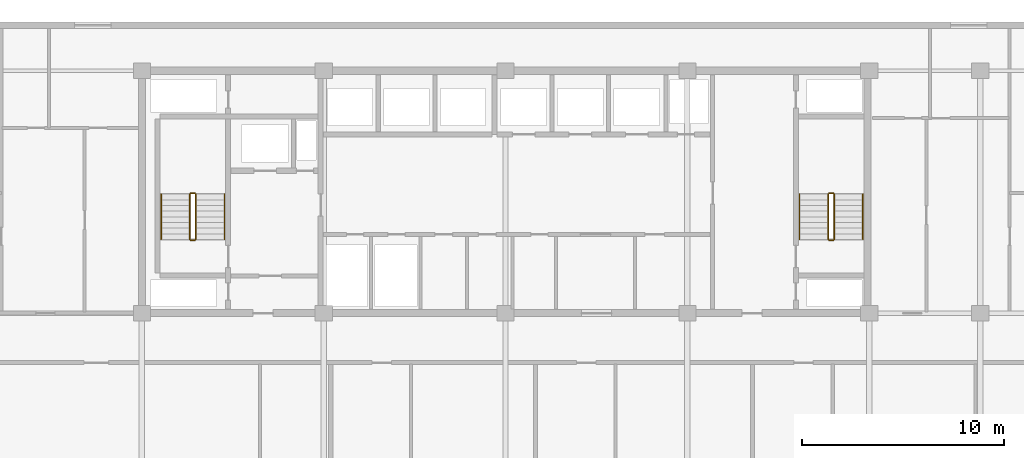
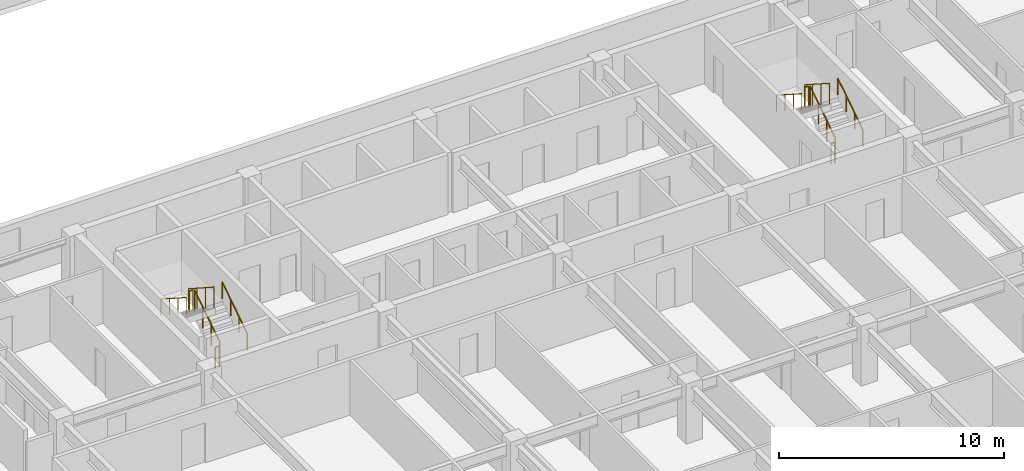
# One storey, part 18 of 21: 12 railings.
"""IFC4 building model written with IfcOpenShell, lengths in metres."""

from ifc_helpers import new_model, si_unit, direction, frame, origin, origin_2d, place, context, subcontext, project, spatial, circle, extrude, material, type_object, element, save


model = new_model("IFC4")

# Units and contexts
model_context = context("Model", 3, precision=1e-05, world=origin(), true_north=direction((0.0, 1.0)))
body_context = subcontext(model_context, "Body", "Model", "MODEL_VIEW")
ifc_project = project(units=[si_unit("LENGTHUNIT", "METRE"), si_unit("AREAUNIT", "SQUARE_METRE"), si_unit("VOLUMEUNIT", "CUBIC_METRE"), si_unit("PLANEANGLEUNIT", "RADIAN"), si_unit("MASSUNIT", "GRAM", prefix="KILO")], contexts=[model_context])

# Site, building, storey
site_placement = place(None, origin())
site = spatial("IfcSite", under=ifc_project, at=site_placement, CompositionType="ELEMENT")
building_placement = place(site_placement, origin())
building = spatial("IfcBuilding", under=site, at=building_placement, Name="Korimba Cascade Residences", CompositionType="ELEMENT")
storey_placement = place(building_placement, frame((0.0, 0.0, 97.050048828125)))
storey = spatial("IfcBuildingStorey", under=building, at=storey_placement, Name="L27", CompositionType="ELEMENT", Elevation=97.050048828125)

# Railings
ifc_material_1 = material(Name="Painted Steel Stairwell Guardrail", Category="steel")
railing_type_1 = type_object("IfcRailingType", Name="RLG-ST-GD1150", PredefinedType="GUARDRAIL", material=ifc_material_1)
railing_1_placement = place(storey_placement, frame((84.77001953125, 22.050048828125, 0.180419921875)))
element("IfcRailing", 1, at=railing_1_placement, inside=storey, type_object=railing_type_1, Name="L27 ST-E1 stair guard 1", PredefinedType="GUARDRAIL", context=body_context, shape_type="SweptSolid", body=[
    extrude(circle(Radius=0.02392578125, at=origin_2d()), frame((0.0, 0.0, 1.1259765625), z_axis=(0.0, 0.840394893359, 0.541974559565), x_axis=(-1.0, 0.0, 0.0)), (0.0, 0.0, 1.0), 2.665283203125),
    extrude(circle(Radius=0.02099609375, at=origin_2d()), origin(), (0.0, 0.0, 1.0), 1.101806640625),
    extrude(circle(Radius=0.02099609375, at=origin_2d()), frame((0.0, 0.74658203125, 0.4814453125)), (0.0, 0.0, 1.0), 1.101806640625),
    extrude(circle(Radius=0.02099609375, at=origin_2d()), frame((0.0, 1.493408203125, 0.963134765625)), (0.0, 0.0, 1.0), 1.101806640625),
    extrude(circle(Radius=0.02099609375, at=origin_2d()), frame((0.0, 2.239990234375, 1.444580078125)), (0.0, 0.0, 1.0), 1.101806640625),
])
railing_2_placement = place(storey_placement, frame((84.719970703125, 24.340087890625, 1.625)))
element("IfcRailing", 2, at=railing_2_placement, inside=storey, type_object=railing_type_1, Name="L27 ST-E1 stair guard 2", PredefinedType="GUARDRAIL", context=body_context, shape_type="SweptSolid", body=[
    extrude(circle(Radius=0.02392578125, at=origin_2d()), frame((0.0, 0.0, 1.1259765625), z_axis=(-1.0, 0.0, 0.0), x_axis=(0.0, -1.0, 0.0)), (0.0, 0.0, 1.0), 0.199951171875),
    extrude(circle(Radius=0.02099609375, at=origin_2d()), origin(), (0.0, 0.0, 1.0), 1.101806640625),
    extrude(circle(Radius=0.02099609375, at=origin_2d()), frame((-0.199951171875, 0.0, 0.0)), (0.0, 0.0, 1.0), 1.101806640625),
])
railing_3_placement = place(storey_placement, frame((84.469970703125, 24.2900390625, 1.805419921875)))
element("IfcRailing", 3, at=railing_3_placement, inside=storey, type_object=railing_type_1, Name="L27 ST-E1 stair guard 3", PredefinedType="GUARDRAIL", context=body_context, shape_type="SweptSolid", body=[
    extrude(circle(Radius=0.02392578125, at=origin_2d()), frame((0.0, 0.0, 1.1259765625), z_axis=(0.0, -0.840394893359, 0.541974559565), x_axis=(1.0, 0.0, 0.0)), (0.0, 0.0, 1.0), 2.665283203125),
    extrude(circle(Radius=0.02099609375, at=origin_2d()), origin(), (0.0, 0.0, 1.0), 1.101806640625),
    extrude(circle(Radius=0.02099609375, at=origin_2d()), frame((0.0, -0.74658203125, 0.4814453125)), (0.0, 0.0, 1.0), 1.101806640625),
    extrude(circle(Radius=0.02099609375, at=origin_2d()), frame((0.0, -1.493408203125, 0.963134765625)), (0.0, 0.0, 1.0), 1.101806640625),
    extrude(circle(Radius=0.02099609375, at=origin_2d()), frame((0.0, -2.239990234375, 1.444580078125)), (0.0, 0.0, 1.0), 1.101806640625),
])
railing_4_placement = place(storey_placement, frame((84.719970703125, 22.0, 0.0)))
element("IfcRailing", 4, at=railing_4_placement, inside=storey, type_object=railing_type_1, Name="L27 ST-E1 stair guard 4", PredefinedType="GUARDRAIL", context=body_context, shape_type="SweptSolid", body=[
    extrude(circle(Radius=0.02392578125, at=origin_2d()), frame((0.0, 0.0, 1.1259765625), z_axis=(-1.0, 0.0, 0.0), x_axis=(0.0, -1.0, 0.0)), (0.0, 0.0, 1.0), 0.199951171875),
    extrude(circle(Radius=0.02099609375, at=origin_2d()), origin(), (0.0, 0.0, 1.0), 1.101806640625),
    extrude(circle(Radius=0.02099609375, at=origin_2d()), frame((-0.199951171875, 0.0, 0.0)), (0.0, 0.0, 1.0), 1.101806640625),
])
railing_5_placement = place(storey_placement, frame((116.3701171875, 22.050048828125, 0.180419921875)))
element("IfcRailing", 5, at=railing_5_placement, inside=storey, type_object=railing_type_1, Name="L27 ST-E2 stair guard 1", PredefinedType="GUARDRAIL", context=body_context, shape_type="SweptSolid", body=[
    extrude(circle(Radius=0.02392578125, at=origin_2d()), frame((0.0, 0.0, 1.1259765625), z_axis=(0.0, 0.840394893359, 0.541974559565), x_axis=(-1.0, 0.0, 0.0)), (0.0, 0.0, 1.0), 2.665283203125),
    extrude(circle(Radius=0.02099609375, at=origin_2d()), origin(), (0.0, 0.0, 1.0), 1.101806640625),
    extrude(circle(Radius=0.02099609375, at=origin_2d()), frame((0.0, 0.74658203125, 0.4814453125)), (0.0, 0.0, 1.0), 1.101806640625),
    extrude(circle(Radius=0.02099609375, at=origin_2d()), frame((0.0, 1.493408203125, 0.963134765625)), (0.0, 0.0, 1.0), 1.101806640625),
    extrude(circle(Radius=0.02099609375, at=origin_2d()), frame((0.0, 2.239990234375, 1.444580078125)), (0.0, 0.0, 1.0), 1.101806640625),
])
railing_6_placement = place(storey_placement, frame((116.320068359375, 24.340087890625, 1.625)))
element("IfcRailing", 6, at=railing_6_placement, inside=storey, type_object=railing_type_1, Name="L27 ST-E2 stair guard 2", PredefinedType="GUARDRAIL", context=body_context, shape_type="SweptSolid", body=[
    extrude(circle(Radius=0.02392578125, at=origin_2d()), frame((0.0, 0.0, 1.1259765625), z_axis=(-1.0, 0.0, 0.0), x_axis=(0.0, -1.0, 0.0)), (0.0, 0.0, 1.0), 0.199951171875),
    extrude(circle(Radius=0.02099609375, at=origin_2d()), origin(), (0.0, 0.0, 1.0), 1.101806640625),
    extrude(circle(Radius=0.02099609375, at=origin_2d()), frame((-0.199951171875, 0.0, 0.0)), (0.0, 0.0, 1.0), 1.101806640625),
])
railing_7_placement = place(storey_placement, frame((116.070068359375, 24.2900390625, 1.805419921875)))
element("IfcRailing", 7, at=railing_7_placement, inside=storey, type_object=railing_type_1, Name="L27 ST-E2 stair guard 3", PredefinedType="GUARDRAIL", context=body_context, shape_type="SweptSolid", body=[
    extrude(circle(Radius=0.02392578125, at=origin_2d()), frame((0.0, 0.0, 1.1259765625), z_axis=(0.0, -0.840394893359, 0.541974559565), x_axis=(1.0, 0.0, 0.0)), (0.0, 0.0, 1.0), 2.665283203125),
    extrude(circle(Radius=0.02099609375, at=origin_2d()), origin(), (0.0, 0.0, 1.0), 1.101806640625),
    extrude(circle(Radius=0.02099609375, at=origin_2d()), frame((0.0, -0.74658203125, 0.4814453125)), (0.0, 0.0, 1.0), 1.101806640625),
    extrude(circle(Radius=0.02099609375, at=origin_2d()), frame((0.0, -1.493408203125, 0.963134765625)), (0.0, 0.0, 1.0), 1.101806640625),
    extrude(circle(Radius=0.02099609375, at=origin_2d()), frame((0.0, -2.239990234375, 1.444580078125)), (0.0, 0.0, 1.0), 1.101806640625),
])
railing_8_placement = place(storey_placement, frame((116.320068359375, 22.0, 0.0)))
element("IfcRailing", 8, at=railing_8_placement, inside=storey, type_object=railing_type_1, Name="L27 ST-E2 stair guard 4", PredefinedType="GUARDRAIL", context=body_context, shape_type="SweptSolid", body=[
    extrude(circle(Radius=0.02392578125, at=origin_2d()), frame((0.0, 0.0, 1.1259765625), z_axis=(-1.0, 0.0, 0.0), x_axis=(0.0, -1.0, 0.0)), (0.0, 0.0, 1.0), 0.199951171875),
    extrude(circle(Radius=0.02099609375, at=origin_2d()), origin(), (0.0, 0.0, 1.0), 1.101806640625),
    extrude(circle(Radius=0.02099609375, at=origin_2d()), frame((-0.199951171875, 0.0, 0.0)), (0.0, 0.0, 1.0), 1.101806640625),
])
ifc_material_2 = material(Name="Brushed Stainless Steel Handrail", Category="steel")
railing_type_2 = type_object("IfcRailingType", Name="RLG-ST-HR900", PredefinedType="HANDRAIL", material=ifc_material_2)
railing_9_placement = place(storey_placement, frame((86.18994140625, 22.050048828125, 0.364990234375)))
element("IfcRailing", 9, at=railing_9_placement, inside=storey, type_object=railing_type_2, Name="L27 ST-E1 stair handrail 1", PredefinedType="HANDRAIL", context=body_context, shape_type="SweptSolid", body=[
    extrude(circle(Radius=0.02392578125, at=origin_2d()), frame((0.0, 0.0, 0.8759765625), z_axis=(0.0, 0.840436612492, 0.541909863706), x_axis=(-1.0, 0.0, 0.0)), (0.0, 0.0, 1.0), 2.665283203125),
    extrude(circle(Radius=0.02099609375, at=origin_2d()), origin(), (0.0, 0.0, 1.0), 0.851806640625),
    extrude(circle(Radius=0.02099609375, at=origin_2d()), frame((0.0, 0.74658203125, 0.4814453125)), (0.0, 0.0, 1.0), 0.851806640625),
    extrude(circle(Radius=0.02099609375, at=origin_2d()), frame((0.0, 1.493408203125, 0.962890625)), (0.0, 0.0, 1.0), 0.851806640625),
    extrude(circle(Radius=0.02099609375, at=origin_2d()), frame((0.0, 2.239990234375, 1.4443359375)), (0.0, 0.0, 1.0), 0.851806640625),
])
railing_10_placement = place(storey_placement, frame((83.050048828125, 24.2900390625, 1.989990234375)))
element("IfcRailing", 10, at=railing_10_placement, inside=storey, type_object=railing_type_2, Name="L27 ST-E1 stair handrail 2", PredefinedType="HANDRAIL", context=body_context, shape_type="SweptSolid", body=[
    extrude(circle(Radius=0.02392578125, at=origin_2d()), frame((0.0, 0.0, 0.8759765625), z_axis=(0.0, -0.840436612492, 0.541909863706), x_axis=(1.0, 0.0, 0.0)), (0.0, 0.0, 1.0), 2.665283203125),
    extrude(circle(Radius=0.02099609375, at=origin_2d()), origin(), (0.0, 0.0, 1.0), 0.851806640625),
    extrude(circle(Radius=0.02099609375, at=origin_2d()), frame((0.0, -0.74658203125, 0.4814453125)), (0.0, 0.0, 1.0), 0.851806640625),
    extrude(circle(Radius=0.02099609375, at=origin_2d()), frame((0.0, -1.493408203125, 0.962890625)), (0.0, 0.0, 1.0), 0.851806640625),
    extrude(circle(Radius=0.02099609375, at=origin_2d()), frame((0.0, -2.239990234375, 1.4443359375)), (0.0, 0.0, 1.0), 0.851806640625),
])
railing_11_placement = place(storey_placement, frame((117.7900390625, 22.050048828125, 0.364990234375)))
element("IfcRailing", 11, at=railing_11_placement, inside=storey, type_object=railing_type_2, Name="L27 ST-E2 stair handrail 1", PredefinedType="HANDRAIL", context=body_context, shape_type="SweptSolid", body=[
    extrude(circle(Radius=0.02392578125, at=origin_2d()), frame((0.0, 0.0, 0.8759765625), z_axis=(0.0, 0.840436612492, 0.541909863706), x_axis=(-1.0, 0.0, 0.0)), (0.0, 0.0, 1.0), 2.665283203125),
    extrude(circle(Radius=0.02099609375, at=origin_2d()), origin(), (0.0, 0.0, 1.0), 0.851806640625),
    extrude(circle(Radius=0.02099609375, at=origin_2d()), frame((0.0, 0.74658203125, 0.4814453125)), (0.0, 0.0, 1.0), 0.851806640625),
    extrude(circle(Radius=0.02099609375, at=origin_2d()), frame((0.0, 1.493408203125, 0.962890625)), (0.0, 0.0, 1.0), 0.851806640625),
    extrude(circle(Radius=0.02099609375, at=origin_2d()), frame((0.0, 2.239990234375, 1.4443359375)), (0.0, 0.0, 1.0), 0.851806640625),
])
railing_12_placement = place(storey_placement, frame((114.64990234375, 24.2900390625, 1.989990234375)))
element("IfcRailing", 12, at=railing_12_placement, inside=storey, type_object=railing_type_2, Name="L27 ST-E2 stair handrail 2", PredefinedType="HANDRAIL", context=body_context, shape_type="SweptSolid", body=[
    extrude(circle(Radius=0.02392578125, at=origin_2d()), frame((0.0, 0.0, 0.8759765625), z_axis=(0.0, -0.840436612492, 0.541909863706), x_axis=(1.0, 0.0, 0.0)), (0.0, 0.0, 1.0), 2.665283203125),
    extrude(circle(Radius=0.02099609375, at=origin_2d()), origin(), (0.0, 0.0, 1.0), 0.851806640625),
    extrude(circle(Radius=0.02099609375, at=origin_2d()), frame((0.0, -0.74658203125, 0.4814453125)), (0.0, 0.0, 1.0), 0.851806640625),
    extrude(circle(Radius=0.02099609375, at=origin_2d()), frame((0.0, -1.493408203125, 0.962890625)), (0.0, 0.0, 1.0), 0.851806640625),
    extrude(circle(Radius=0.02099609375, at=origin_2d()), frame((0.0, -2.239990234375, 1.4443359375)), (0.0, 0.0, 1.0), 0.851806640625),
])

save(model, "model.ifc")
